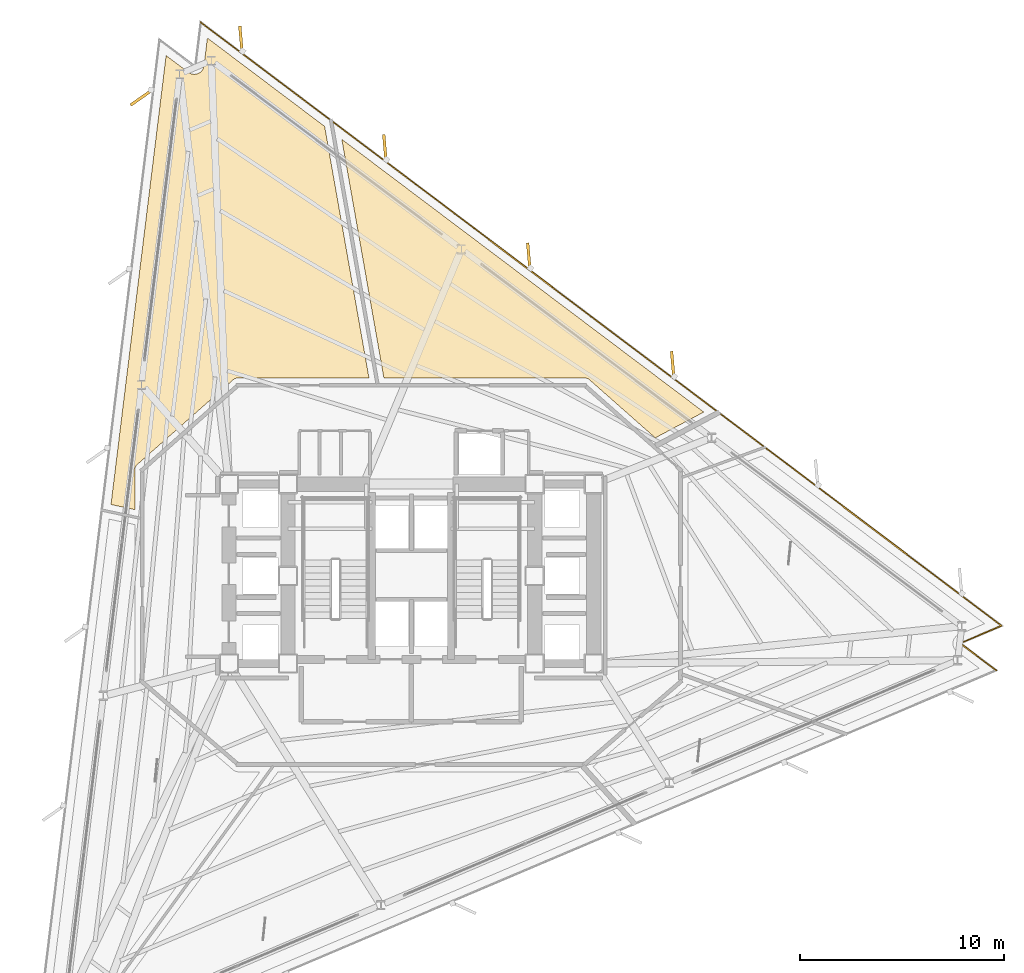
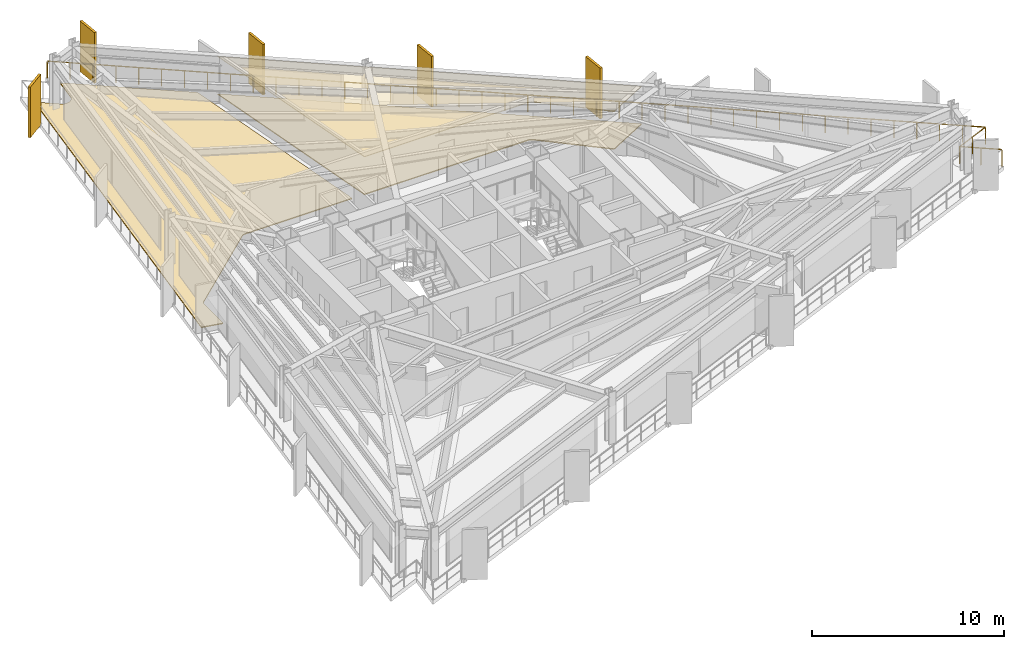
# One storey, part 13 of 13: 5 shading devices, 3 coverings, 1 railing.
"""IFC4 building model written with IfcOpenShell, lengths in metres."""

from ifc_helpers import new_model, si_unit, direction, frame, origin, origin_2d, place, context, subcontext, project, spatial, polyline, rectangle, outline, extrude, material, layer, layer_set, type_object, element, save


model = new_model("IFC4")

# Units and contexts
model_context = context("Model", 3, precision=1e-05, world=origin(), true_north=direction((0.0, 1.0)))
body_context = subcontext(model_context, "Body", "Model", "MODEL_VIEW")
ifc_project = project(units=[si_unit("LENGTHUNIT", "METRE"), si_unit("AREAUNIT", "SQUARE_METRE"), si_unit("VOLUMEUNIT", "CUBIC_METRE"), si_unit("PLANEANGLEUNIT", "RADIAN"), si_unit("MASSUNIT", "GRAM", prefix="KILO")], contexts=[model_context])

# Site, building, storey
site_placement = place(None, origin())
site = spatial("IfcSite", under=ifc_project, at=site_placement, CompositionType="ELEMENT")
building_placement = place(site_placement, origin())
building = spatial("IfcBuilding", under=site, at=building_placement, Name="Rocaltana Carrier Exchange", CompositionType="ELEMENT")
storey_placement = place(building_placement, frame((0.0, 0.0, 69.760009765625)))
storey = spatial("IfcBuildingStorey", under=building, at=storey_placement, Name="L21", CompositionType="ELEMENT", Elevation=69.760009765625)

# Coverings
ifc_material_1 = material(Name="Calcium Sulphate & Aluminium Pedestal", Category="aluminium")
ifc_layer_1 = layer(ifc_material_1, 0.06005859375)
ifc_layer_set_1 = layer_set([ifc_layer_1], Name="Calcium Sulphate & Aluminium Pedestal")
covering_type_1 = type_object("IfcCoveringType", Name="Anti-Static Raised Exchange Access Floor 60", PredefinedType="FLOORING", material=ifc_layer_set_1)
covering_1_placement = place(storey_placement, origin())
element("IfcCovering", 1, at=covering_1_placement, inside=storey, type_object=covering_type_1, Name="L21 Network Operations Office Finish Floor", PredefinedType="FLOORING", context=body_context, shape_type="SweptSolid", body=[
    extrude(outline(polyline([(14.345703125, 8.035400390625), (11.9658203125, 6.77001953125), (8.73828125, 9.619873046875), (8.727294921875, 9.629150390625), (8.720703125, 9.63427734375), (8.697265625, 9.651123046875), (8.690185546875, 9.655517578125), (8.6650390625, 9.669921875), (8.65771484375, 9.673583984375), (8.631103515625, 9.68505859375), (8.62353515625, 9.68798828125), (8.595947265625, 9.697021484375), (8.587890625, 9.698974609375), (8.5595703125, 9.704833984375), (8.551513671875, 9.706298828125), (8.522705078125, 9.709228515625), (8.514404296875, 9.709716796875), (8.5, 9.7099609375), (-1.3466796875, 9.7099609375), (-3.41064453125, 21.41552734375), (14.345703125, 8.035400390625)])), origin(), (0.0, 0.0, 1.0), 0.06005859375),
])
covering_2_placement = place(storey_placement, origin())
element("IfcCovering", 2, at=covering_2_placement, inside=storey, type_object=covering_type_1, Name="L21 Quiet Focus Lounge Finish Floor", PredefinedType="FLOORING", context=body_context, shape_type="SweptSolid", body=[
    extrude(outline(polyline([(-12.02978515625, 25.52490234375), (-10.936767578125, 24.701416015625), (-10.92529296875, 24.693115234375), (-10.90869140625, 24.681884765625), (-10.885009765625, 24.66748046875), (-10.867431640625, 24.657958984375), (-10.84228515625, 24.64599609375), (-10.823974609375, 24.63818359375), (-10.797607421875, 24.628662109375), (-10.778564453125, 24.622802734375), (-10.75146484375, 24.6162109375), (-10.73193359375, 24.6123046875), (-10.704345703125, 24.608154296875), (-10.6845703125, 24.606201171875), (-10.656494140625, 24.604736328125), (-10.63671875, 24.60498046875), (-10.60888671875, 24.606201171875), (-10.5888671875, 24.6083984375), (-10.561279296875, 24.612548828125), (-10.541748046875, 24.61669921875), (-10.514892578125, 24.62353515625), (-10.49560546875, 24.62939453125), (-10.469482421875, 24.63916015625), (-10.451171875, 24.64697265625), (-10.426025390625, 24.6591796875), (-10.40869140625, 24.668701171875), (-10.384765625, 24.683349609375), (-10.368408203125, 24.694580078125), (-10.34619140625, 24.71142578125), (-10.330810546875, 24.724365234375), (-10.310546875, 24.743408203125), (-10.296630859375, 24.757568359375), (-10.2783203125, 24.778564453125), (-10.265869140625, 24.794189453125), (-10.24951171875, 24.81689453125), (-10.23876953125, 24.833740234375), (-10.224853515625, 24.85791015625), (-10.2158203125, 24.875732421875), (-10.204345703125, 24.901123046875), (-10.197265625, 24.919677734375), (-10.188232421875, 24.9462890625), (-10.18310546875, 24.96533203125), (-10.1767578125, 24.99267578125), (-10.17333984375, 25.01220703125), (-10.17138671875, 25.026123046875), (-10.004638671875, 26.384521484375), (-4.253662109375, 22.05078125), (-2.07763671875, 9.7099609375), (-8.5, 9.7099609375), (-8.514404296875, 9.709716796875), (-8.522705078125, 9.709228515625), (-8.551513671875, 9.706298828125), (-8.5595703125, 9.704833984375), (-8.587890625, 9.698974609375), (-8.595947265625, 9.697021484375), (-8.62353515625, 9.68798828125), (-8.631103515625, 9.68505859375), (-8.65771484375, 9.673583984375), (-8.6650390625, 9.669921875), (-8.690185546875, 9.655517578125), (-8.697265625, 9.651123046875), (-8.720703125, 9.63427734375), (-8.727294921875, 9.629150390625), (-8.73828125, 9.619873046875), (-13.438232421875, 5.469970703125), (-13.447998046875, 5.4609375), (-13.453369140625, 5.455810546875), (-13.471435546875, 5.436279296875), (-13.476318359375, 5.4306640625), (-13.492431640625, 5.409912109375), (-13.49658203125, 5.40380859375), (-13.5107421875, 5.38134765625), (-13.5146484375, 5.375), (-13.526611328125, 5.351318359375), (-13.529541015625, 5.344482421875), (-13.539306640625, 5.320068359375), (-13.541748046875, 5.31298828125), (-13.549072265625, 5.28759765625), (-13.55078125, 5.2802734375), (-13.555908203125, 5.25439453125), (-13.556884765625, 5.246826171875), (-13.559326171875, 5.220703125), (-13.559814453125, 5.213134765625), (-13.56005859375, 5.199951171875), (-13.56005859375, 3.250244140625), (-14.73388671875, 3.5), (-12.02978515625, 25.52490234375)])), origin(), (0.0, 0.0, 1.0), 0.06005859375),
])
ifc_material_2 = material(Name="Mineral Fibre & Powder-Coated Aluminium", Category="aluminium")
ifc_layer_2 = layer(ifc_material_2, 0.044921875)
ifc_layer_set_2 = layer_set([ifc_layer_2], Name="Mineral Fibre & Powder-Coated Aluminium")
covering_type_2 = type_object("IfcCoveringType", Name="Micro-Perforated Acoustic Ceiling 45", PredefinedType="CEILING", material=ifc_layer_set_2)
covering_3_placement = place(storey_placement, frame((0.0, 0.0, 2.403076171875)))
element("IfcCovering", 3, at=covering_3_placement, inside=storey, type_object=covering_type_2, Name="L21 Network Operations Office Acoustic Ceiling", PredefinedType="CEILING", context=body_context, shape_type="SweptSolid", body=[
    extrude(outline(polyline([(14.345703125, 8.035400390625), (11.9658203125, 6.77001953125), (8.73828125, 9.619873046875), (8.727294921875, 9.629150390625), (8.720703125, 9.63427734375), (8.697265625, 9.651123046875), (8.690185546875, 9.655517578125), (8.6650390625, 9.669921875), (8.65771484375, 9.673583984375), (8.631103515625, 9.68505859375), (8.62353515625, 9.68798828125), (8.595947265625, 9.697021484375), (8.587890625, 9.698974609375), (8.5595703125, 9.704833984375), (8.551513671875, 9.706298828125), (8.522705078125, 9.709228515625), (8.514404296875, 9.709716796875), (8.5, 9.7099609375), (-1.3466796875, 9.7099609375), (-3.41064453125, 21.41552734375), (14.345703125, 8.035400390625)])), origin(), (0.0, 0.0, 1.0), 0.044921875),
])

# Shading devices
ifc_material_3 = material(Name="Honed Bogota Sandstone & Concrete C45/55", Category="masonry")
ifc_layer_3 = layer(ifc_material_3, 0.139892578125)
ifc_layer_set_3 = layer_set([ifc_layer_3], Name="Honed Bogota Sandstone & Concrete C45/55")
shading_device_type = type_object("IfcShadingDeviceType", Name="Vertical Sandstone Shading Fin 1320x140", PredefinedType="USERDEFINED", material=ifc_layer_set_3)
for number, where, z_axis, x_axis, name in (
    (4, (12.822509765625, 10.361083984375, -0.1201171875), (0.0, 0.0, 1.0), (-0.087155742748, 0.996194698092, 0.0), "L21 Sandstone Vertical Fin F1-03"),
    (5, (5.7626953125, 15.680908203125, -0.1201171875), (0.0, 0.0, 1.0), (-0.087155742748, 0.996194698092, 0.0), "L21 Sandstone Vertical Fin F1-04"),
    (6, (-1.29736328125, 21.001220703125, -0.1201171875), (0.0, 0.0, 1.0), (-0.087155742748, 0.996194698092, 0.0), "L21 Sandstone Vertical Fin F1-05"),
    (7, (-8.357421875, 26.321044921875, -0.1201171875), (0.0, 0.0, 1.0), (-0.087155742748, 0.996194698092, 0.0), "L21 Sandstone Vertical Fin F1-06"),
    (8, (-13.2294921875, 23.472412109375, -0.1201171875), (0.0, 0.0, 1.0), (-0.819152044289, -0.573576436351, 0.0), "L21 Sandstone Vertical Fin F2-01"),
):
    element("IfcShadingDevice", number, at=place(storey_placement, frame(where, z_axis=z_axis, x_axis=x_axis)), inside=storey, type_object=shading_device_type, Name=name, ObjectType="FIN", PredefinedType="USERDEFINED", context=body_context, shape_type="SweptSolid", body=[
        extrude(rectangle(XDim=1.320068359375, YDim=0.139892578125, at=origin_2d()), origin(), (0.0, 0.0, 1.0), 3.218017578125),
    ])

# Railing
ifc_material_4 = material(Name="Powder-Coated Aluminium 6063-T6", Category="aluminium")
ifc_layer_4 = layer(ifc_material_4, 0.06005859375)
ifc_layer_set_4 = layer_set([ifc_layer_4], Name="Powder-Coated Aluminium 6063-T6")
railing_type = type_object("IfcRailingType", Name="Wind-Floor & Terrace Perimeter Guardrail 1100", PredefinedType="GUARDRAIL", material=ifc_layer_set_4)
railing_placement = place(storey_placement, frame((-10.332763671875, 27.15771484375, 0.0)))
element("IfcRailing", 9, at=railing_placement, inside=storey, type_object=railing_type, Name="L21 Perimeter Balcony Guardrail 3", PredefinedType="GUARDRAIL", context=body_context, shape_type="SweptSolid", body=[
    extrude(rectangle(XDim=0.048095703125, YDim=0.048095703125, at=origin_2d()), frame((0.0, 0.0, 1.076171875), z_axis=(0.798636489562, -0.60181372329, 0.0), x_axis=(0.60181372329, 0.798636489562, 0.0)), (0.0, 0.0, 1.0), 49.192138671875),
    extrude(rectangle(XDim=0.048095703125, YDim=0.048095703125, at=origin_2d()), frame((39.28662109375, -29.6044921875, 1.076171875), z_axis=(-0.92050559585, -0.390729379504, 0.0), x_axis=(0.390729379504, -0.92050559585, 0.0)), (0.0, 0.0, 1.0), 2.199951171875),
    extrude(rectangle(XDim=0.048095703125, YDim=0.048095703125, at=origin_2d()), frame((37.261474609375, -30.464111328125, 1.076171875), z_axis=(0.798653030423, -0.601791772125, 0.0), x_axis=(0.601791772125, 0.798653030423, 0.0)), (0.0, 0.0, 1.0), 2.199951171875),
    extrude(rectangle(XDim=0.0419921875, YDim=0.0419921875, at=origin_2d()), origin(), (0.0, 0.0, 1.0), 1.052001953125),
    extrude(rectangle(XDim=0.0419921875, YDim=0.0419921875, at=origin_2d()), frame((0.958251953125, -0.72216796875, 0.0)), (0.0, 0.0, 1.0), 1.052001953125),
    extrude(rectangle(XDim=0.0419921875, YDim=0.0419921875, at=origin_2d()), frame((1.91650390625, -1.444091796875, 0.0)), (0.0, 0.0, 1.0), 1.052001953125),
    extrude(rectangle(XDim=0.0419921875, YDim=0.0419921875, at=origin_2d()), frame((2.87451171875, -2.166259765625, 0.0)), (0.0, 0.0, 1.0), 1.052001953125),
    extrude(rectangle(XDim=0.0419921875, YDim=0.0419921875, at=origin_2d()), frame((3.832763671875, -2.88818359375, 0.0)), (0.0, 0.0, 1.0), 1.052001953125),
    extrude(rectangle(XDim=0.0419921875, YDim=0.0419921875, at=origin_2d()), frame((4.791015625, -3.6103515625, 0.0)), (0.0, 0.0, 1.0), 1.052001953125),
    extrude(rectangle(XDim=0.0419921875, YDim=0.0419921875, at=origin_2d()), frame((5.749267578125, -4.332275390625, 0.0)), (0.0, 0.0, 1.0), 1.052001953125),
    extrude(rectangle(XDim=0.0419921875, YDim=0.0419921875, at=origin_2d()), frame((6.70751953125, -5.054443359375, 0.0)), (0.0, 0.0, 1.0), 1.052001953125),
    extrude(rectangle(XDim=0.0419921875, YDim=0.0419921875, at=origin_2d()), frame((7.665771484375, -5.7763671875, 0.0)), (0.0, 0.0, 1.0), 1.052001953125),
    extrude(rectangle(XDim=0.0419921875, YDim=0.0419921875, at=origin_2d()), frame((8.623779296875, -6.49853515625, 0.0)), (0.0, 0.0, 1.0), 1.052001953125),
    extrude(rectangle(XDim=0.0419921875, YDim=0.0419921875, at=origin_2d()), frame((9.58203125, -7.220703125, 0.0)), (0.0, 0.0, 1.0), 1.052001953125),
    extrude(rectangle(XDim=0.0419921875, YDim=0.0419921875, at=origin_2d()), frame((10.540283203125, -7.942626953125, 0.0)), (0.0, 0.0, 1.0), 1.052001953125),
    extrude(rectangle(XDim=0.0419921875, YDim=0.0419921875, at=origin_2d()), frame((11.49853515625, -8.664794921875, 0.0)), (0.0, 0.0, 1.0), 1.052001953125),
    extrude(rectangle(XDim=0.0419921875, YDim=0.0419921875, at=origin_2d()), frame((12.456787109375, -9.38671875, 0.0)), (0.0, 0.0, 1.0), 1.052001953125),
    extrude(rectangle(XDim=0.0419921875, YDim=0.0419921875, at=origin_2d()), frame((13.4150390625, -10.10888671875, 0.0)), (0.0, 0.0, 1.0), 1.052001953125),
    extrude(rectangle(XDim=0.0419921875, YDim=0.0419921875, at=origin_2d()), frame((14.373046875, -10.830810546875, 0.0)), (0.0, 0.0, 1.0), 1.052001953125),
    extrude(rectangle(XDim=0.0419921875, YDim=0.0419921875, at=origin_2d()), frame((15.331298828125, -11.552978515625, 0.0)), (0.0, 0.0, 1.0), 1.052001953125),
    extrude(rectangle(XDim=0.0419921875, YDim=0.0419921875, at=origin_2d()), frame((16.28955078125, -12.275146484375, 0.0)), (0.0, 0.0, 1.0), 1.052001953125),
    extrude(rectangle(XDim=0.0419921875, YDim=0.0419921875, at=origin_2d()), frame((17.247802734375, -12.9970703125, 0.0)), (0.0, 0.0, 1.0), 1.052001953125),
    extrude(rectangle(XDim=0.0419921875, YDim=0.0419921875, at=origin_2d()), frame((18.2060546875, -13.71923828125, 0.0)), (0.0, 0.0, 1.0), 1.052001953125),
    extrude(rectangle(XDim=0.0419921875, YDim=0.0419921875, at=origin_2d()), frame((19.164306640625, -14.441162109375, 0.0)), (0.0, 0.0, 1.0), 1.052001953125),
    extrude(rectangle(XDim=0.0419921875, YDim=0.0419921875, at=origin_2d()), frame((20.122314453125, -15.163330078125, 0.0)), (0.0, 0.0, 1.0), 1.052001953125),
    extrude(rectangle(XDim=0.0419921875, YDim=0.0419921875, at=origin_2d()), frame((21.08056640625, -15.88525390625, 0.0)), (0.0, 0.0, 1.0), 1.052001953125),
    extrude(rectangle(XDim=0.0419921875, YDim=0.0419921875, at=origin_2d()), frame((22.038818359375, -16.607421875, 0.0)), (0.0, 0.0, 1.0), 1.052001953125),
    extrude(rectangle(XDim=0.0419921875, YDim=0.0419921875, at=origin_2d()), frame((22.9970703125, -17.329345703125, 0.0)), (0.0, 0.0, 1.0), 1.052001953125),
    extrude(rectangle(XDim=0.0419921875, YDim=0.0419921875, at=origin_2d()), frame((23.955322265625, -18.051513671875, 0.0)), (0.0, 0.0, 1.0), 1.052001953125),
    extrude(rectangle(XDim=0.0419921875, YDim=0.0419921875, at=origin_2d()), frame((24.91357421875, -18.773681640625, 0.0)), (0.0, 0.0, 1.0), 1.052001953125),
    extrude(rectangle(XDim=0.0419921875, YDim=0.0419921875, at=origin_2d()), frame((25.87158203125, -19.49560546875, 0.0)), (0.0, 0.0, 1.0), 1.052001953125),
    extrude(rectangle(XDim=0.0419921875, YDim=0.0419921875, at=origin_2d()), frame((26.829833984375, -20.2177734375, 0.0)), (0.0, 0.0, 1.0), 1.052001953125),
    extrude(rectangle(XDim=0.0419921875, YDim=0.0419921875, at=origin_2d()), frame((27.7880859375, -20.939697265625, 0.0)), (0.0, 0.0, 1.0), 1.052001953125),
    extrude(rectangle(XDim=0.0419921875, YDim=0.0419921875, at=origin_2d()), frame((28.746337890625, -21.661865234375, 0.0)), (0.0, 0.0, 1.0), 1.052001953125),
    extrude(rectangle(XDim=0.0419921875, YDim=0.0419921875, at=origin_2d()), frame((29.70458984375, -22.3837890625, 0.0)), (0.0, 0.0, 1.0), 1.052001953125),
    extrude(rectangle(XDim=0.0419921875, YDim=0.0419921875, at=origin_2d()), frame((30.662841796875, -23.10595703125, 0.0)), (0.0, 0.0, 1.0), 1.052001953125),
    extrude(rectangle(XDim=0.0419921875, YDim=0.0419921875, at=origin_2d()), frame((31.620849609375, -23.828125, 0.0)), (0.0, 0.0, 1.0), 1.052001953125),
    extrude(rectangle(XDim=0.0419921875, YDim=0.0419921875, at=origin_2d()), frame((32.5791015625, -24.550048828125, 0.0)), (0.0, 0.0, 1.0), 1.052001953125),
    extrude(rectangle(XDim=0.0419921875, YDim=0.0419921875, at=origin_2d()), frame((33.537353515625, -25.272216796875, 0.0)), (0.0, 0.0, 1.0), 1.052001953125),
    extrude(rectangle(XDim=0.0419921875, YDim=0.0419921875, at=origin_2d()), frame((34.49560546875, -25.994140625, 0.0)), (0.0, 0.0, 1.0), 1.052001953125),
    extrude(rectangle(XDim=0.0419921875, YDim=0.0419921875, at=origin_2d()), frame((35.453857421875, -26.71630859375, 0.0)), (0.0, 0.0, 1.0), 1.052001953125),
    extrude(rectangle(XDim=0.0419921875, YDim=0.0419921875, at=origin_2d()), frame((36.412109375, -27.438232421875, 0.0)), (0.0, 0.0, 1.0), 1.052001953125),
    extrude(rectangle(XDim=0.0419921875, YDim=0.0419921875, at=origin_2d()), frame((37.3701171875, -28.160400390625, 0.0)), (0.0, 0.0, 1.0), 1.052001953125),
    extrude(rectangle(XDim=0.0419921875, YDim=0.0419921875, at=origin_2d()), frame((38.328369140625, -28.88232421875, 0.0)), (0.0, 0.0, 1.0), 1.052001953125),
    extrude(rectangle(XDim=0.0419921875, YDim=0.0419921875, at=origin_2d()), frame((39.28662109375, -29.6044921875, 0.0)), (0.0, 0.0, 1.0), 1.052001953125),
    extrude(rectangle(XDim=0.0419921875, YDim=0.0419921875, at=origin_2d()), frame((38.27392578125, -30.0341796875, 0.0)), (0.0, 0.0, 1.0), 1.052001953125),
    extrude(rectangle(XDim=0.0419921875, YDim=0.0419921875, at=origin_2d()), frame((37.261474609375, -30.464111328125, 0.0)), (0.0, 0.0, 1.0), 1.052001953125),
    extrude(rectangle(XDim=0.0419921875, YDim=0.0419921875, at=origin_2d()), frame((38.14013671875, -31.1259765625, 0.0)), (0.0, 0.0, 1.0), 1.052001953125),
    extrude(rectangle(XDim=0.0419921875, YDim=0.0419921875, at=origin_2d()), frame((39.0185546875, -31.7880859375, 0.0)), (0.0, 0.0, 1.0), 1.052001953125),
])

save(model, "model.ifc")
